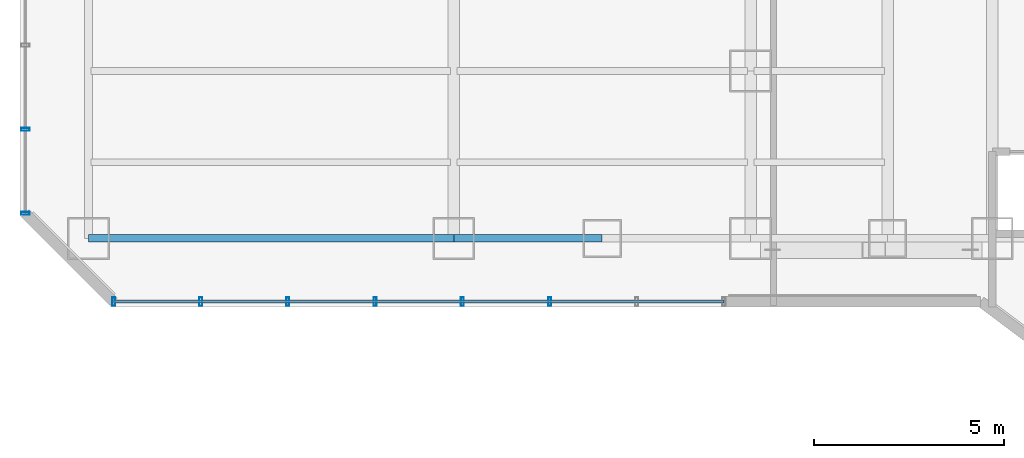
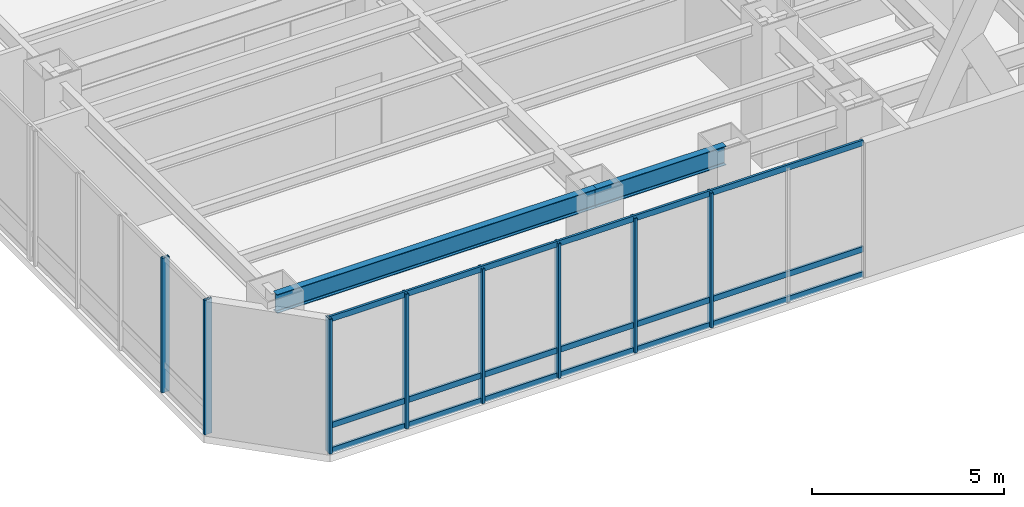
# One storey, part 2 of 29: 11 members, 2 beams, 2 elements without a shape of their own.
"""IFC4 building model written with IfcOpenShell, lengths in metres."""

from ifc_helpers import new_model, si_unit, direction, frame, origin, origin_2d, place, context, subcontext, project, spatial, hollow_rectangle, i_section, extrude, material, layer, layer_set, material_profile, profile_set, type_object, element, aggregate, save


model = new_model("IFC4")

# Units and contexts
model_context = context("Model", 3, precision=1e-05, world=origin(), true_north=direction((0.0, 1.0)))
body_context = subcontext(model_context, "Body", "Model", "MODEL_VIEW")
ifc_project = project(units=[si_unit("LENGTHUNIT", "METRE"), si_unit("AREAUNIT", "SQUARE_METRE"), si_unit("VOLUMEUNIT", "CUBIC_METRE"), si_unit("PLANEANGLEUNIT", "RADIAN"), si_unit("MASSUNIT", "GRAM", prefix="KILO")], contexts=[model_context])

# Site, building, storey
site_placement = place(None, origin())
site = spatial("IfcSite", under=ifc_project, at=site_placement, CompositionType="ELEMENT")
building_placement = place(site_placement, origin())
building = spatial("IfcBuilding", under=site, at=building_placement, Name="Hatsunagi Terrace Concourse", CompositionType="ELEMENT")
storey_placement = place(building_placement, frame((0.0, 0.0, 32.10009765625)))
storey = spatial("IfcBuildingStorey", under=building, at=storey_placement, Name="L07", CompositionType="ELEMENT", Elevation=32.10009765625)

# Curtain wall, members
ifc_material_1 = material(Name="Anodised Aluminium Alloy 6063-T5", Category="aluminium")
ifc_layer = layer(ifc_material_1, 0.199951171875)
ifc_layer_set = layer_set([ifc_layer], Name="SkyLobbyAtrium_CW05")
curtain_wall_type = type_object("IfcCurtainWallType", Name="SkyLobbyAtrium_CW05", PredefinedType="NOTDEFINED", material=ifc_layer_set)
curtain_wall_1_placement = place(storey_placement, origin())
curtain_wall_1 = element("IfcCurtainWall", 1, at=curtain_wall_1_placement, inside=storey, type_object=curtain_wall_type, Name="Unitised Curtain Wall CW-05 CW-L07-07", PredefinedType="NOTDEFINED")
ifc_material_2 = material(Name="Anodised Aluminium Alloy 6063-T5", Category="aluminium")
ifc_material_profile_1 = material_profile(ifc_material_2, hollow_rectangle(XDim=0.080078125, YDim=0.219970703125, WallThickness=0.0048828125, at=origin_2d()), Name="ALU-MUL-220x80x5")
ifc_profile_set_1 = profile_set([ifc_material_profile_1], Name="Anodised Aluminium Alloy 6063-T5")
member_type_1 = type_object("IfcMemberType", Name="CurtainWallMullion_Heavy_220x80", PredefinedType="MULLION", material=ifc_profile_set_1)
member_1_placement = place(storey_placement, frame((13.9169921875, 23.5400390625, 0.0), z_axis=(0.0, 0.0, 1.0), x_axis=(-1.0, 0.0, 0.0)))
member_1 = element("IfcMember", 2, at=member_1_placement, type_object=member_type_1, Name="Curtain Wall Mullion MUL-01", PredefinedType="MULLION", context=body_context, shape_type="SweptSolid", body=[
    extrude(hollow_rectangle(XDim=0.080078125, YDim=0.219970703125, WallThickness=0.0048828125, at=origin_2d()), origin(), (0.0, 0.0, 1.0), 4.27978515625),
])
member_2_placement = place(storey_placement, frame((11.625, 23.5400390625, 0.0), z_axis=(0.0, 0.0, 1.0), x_axis=(-1.0, 0.0, 0.0)))
member_2 = element("IfcMember", 3, at=member_2_placement, type_object=member_type_1, Name="Curtain Wall Mullion MUL-01", PredefinedType="MULLION", context=body_context, shape_type="SweptSolid", body=[
    extrude(hollow_rectangle(XDim=0.080078125, YDim=0.219970703125, WallThickness=0.0048828125, at=origin_2d()), origin(), (0.0, 0.0, 1.0), 4.27978515625),
])
member_3_placement = place(storey_placement, frame((9.3330078125, 23.5400390625, 0.0), z_axis=(0.0, 0.0, 1.0), x_axis=(-1.0, 0.0, 0.0)))
member_3 = element("IfcMember", 4, at=member_3_placement, type_object=member_type_1, Name="Curtain Wall Mullion MUL-01", PredefinedType="MULLION", context=body_context, shape_type="SweptSolid", body=[
    extrude(hollow_rectangle(XDim=0.080078125, YDim=0.219970703125, WallThickness=0.0048828125, at=origin_2d()), origin(), (0.0, 0.0, 1.0), 4.27978515625),
])
member_4_placement = place(storey_placement, frame((7.041015625, 23.5400390625, 0.0), z_axis=(0.0, 0.0, 1.0), x_axis=(-1.0, 0.0, 0.0)))
member_4 = element("IfcMember", 5, at=member_4_placement, type_object=member_type_1, Name="Curtain Wall Mullion MUL-01", PredefinedType="MULLION", context=body_context, shape_type="SweptSolid", body=[
    extrude(hollow_rectangle(XDim=0.080078125, YDim=0.219970703125, WallThickness=0.0048828125, at=origin_2d()), origin(), (0.0, 0.0, 1.0), 4.27978515625),
])
member_5_placement = place(storey_placement, frame((4.75, 23.5400390625, 0.0), z_axis=(0.0, 0.0, 1.0), x_axis=(-1.0, 0.0, 0.0)))
member_5 = element("IfcMember", 6, at=member_5_placement, type_object=member_type_1, Name="Curtain Wall Mullion MUL-01", PredefinedType="MULLION", context=body_context, shape_type="SweptSolid", body=[
    extrude(hollow_rectangle(XDim=0.080078125, YDim=0.219970703125, WallThickness=0.0048828125, at=origin_2d()), origin(), (0.0, 0.0, 1.0), 4.27978515625),
])
member_6_placement = place(storey_placement, frame((2.4580078125, 23.5400390625, 0.0), z_axis=(0.0, 0.0, 1.0), x_axis=(-1.0, 0.0, 0.0)))
member_6 = element("IfcMember", 7, at=member_6_placement, type_object=member_type_1, Name="Curtain Wall Mullion MUL-01", PredefinedType="MULLION", context=body_context, shape_type="SweptSolid", body=[
    extrude(hollow_rectangle(XDim=0.080078125, YDim=0.219970703125, WallThickness=0.0048828125, at=origin_2d()), origin(), (0.0, 0.0, 1.0), 4.27978515625),
])

curtain_wall_2_placement = place(storey_placement, origin())
curtain_wall_2 = element("IfcCurtainWall", 8, at=curtain_wall_2_placement, inside=storey, type_object=curtain_wall_type, Name="Unitised Curtain Wall CW-05 CW-L07-09", PredefinedType="NOTDEFINED")
member_7_placement = place(storey_placement, frame((0.139892578125, 25.85791015625, 0.0), z_axis=(0.0, 0.0, 1.0), x_axis=(0.0, 1.0, 0.0)))
member_7 = element("IfcMember", 9, at=member_7_placement, type_object=member_type_1, Name="Curtain Wall Mullion MUL-01", PredefinedType="MULLION", context=body_context, shape_type="SweptSolid", body=[
    extrude(hollow_rectangle(XDim=0.080078125, YDim=0.219970703125, WallThickness=0.0048828125, at=origin_2d()), origin(), (0.0, 0.0, 1.0), 4.27978515625),
])
member_8_placement = place(storey_placement, frame((0.139892578125, 28.06591796875, 0.0), z_axis=(0.0, 0.0, 1.0), x_axis=(0.0, 1.0, 0.0)))
member_8 = element("IfcMember", 10, at=member_8_placement, type_object=member_type_1, Name="Curtain Wall Mullion MUL-01", PredefinedType="MULLION", context=body_context, shape_type="SweptSolid", body=[
    extrude(hollow_rectangle(XDim=0.080078125, YDim=0.219970703125, WallThickness=0.0048828125, at=origin_2d()), origin(), (0.0, 0.0, 1.0), 4.27978515625),
])
aggregate(curtain_wall_2, [member_7, member_8])

# Member
ifc_material_3 = material(Name="Anodised Aluminium Alloy 6063-T5", Category="aluminium")
ifc_material_profile_2 = material_profile(ifc_material_3, hollow_rectangle(XDim=0.070068359375, YDim=0.179931640625, WallThickness=0.00390625, at=origin_2d()), Name="ALU-TRN-180x70x4")
ifc_profile_set_2 = profile_set([ifc_material_profile_2], Name="Anodised Aluminium Alloy 6063-T5")
member_type_2 = type_object("IfcMemberType", Name="CurtainWallTransom_Heavy_180x70", PredefinedType="USERDEFINED", material=ifc_profile_set_2)
member_9_placement = place(storey_placement, frame((18.5, 23.5400390625, 0.0498046875), z_axis=(-1.0, 0.0, 0.0), x_axis=(0.0, -1.0, 0.0)))
member_9 = element("IfcMember", 11, at=member_9_placement, type_object=member_type_2, Name="Curtain Wall Transom TRN-01", ObjectType="TRANSOM", PredefinedType="USERDEFINED", context=body_context, shape_type="SweptSolid", body=[
    extrude(hollow_rectangle(XDim=0.070068359375, YDim=0.179931640625, WallThickness=0.00390625, at=origin_2d()), origin(), (0.0, 0.0, 1.0), 16.0419921875),
])

member_10_placement = place(storey_placement, frame((18.5, 23.5400390625, 0.849853515625), z_axis=(-1.0, 0.0, 0.0), x_axis=(0.0, -1.0, 0.0)))
member_10 = element("IfcMember", 12, at=member_10_placement, type_object=member_type_2, Name="Curtain Wall Transom TRN-01", ObjectType="TRANSOM", PredefinedType="USERDEFINED", context=body_context, shape_type="SweptSolid", body=[
    extrude(hollow_rectangle(XDim=0.070068359375, YDim=0.179931640625, WallThickness=0.00390625, at=origin_2d()), origin(), (0.0, 0.0, 1.0), 16.0419921875),
])

member_11_placement = place(storey_placement, frame((18.5, 23.5400390625, 4.22998046875), z_axis=(-1.0, 0.0, 0.0), x_axis=(0.0, -1.0, 0.0)))
member_11 = element("IfcMember", 13, at=member_11_placement, type_object=member_type_2, Name="Curtain Wall Transom TRN-01", ObjectType="TRANSOM", PredefinedType="USERDEFINED", context=body_context, shape_type="SweptSolid", body=[
    extrude(hollow_rectangle(XDim=0.070068359375, YDim=0.179931640625, WallThickness=0.00390625, at=origin_2d()), origin(), (0.0, 0.0, 1.0), 16.0419921875),
])

aggregate(curtain_wall_1, [member_1, member_2, member_3, member_4, member_5, member_6, member_9, member_10, member_11])

# Beams
ifc_material_4 = material(Name="Steel SN490B", Category="steel")
ifc_material_profile_3 = material_profile(ifc_material_4, i_section(OverallWidth=0.199951171875, OverallDepth=0.60009765625, WebThickness=0.010986328125, FlangeThickness=0.01708984375, FilletRadius=0.01806640625, at=origin_2d()), Name="H-600x200x11x17")
ifc_profile_set_3 = profile_set([ifc_material_profile_3], Name="Steel SN490B")
beam_type = type_object("IfcBeamType", Name="PerimeterSpandrel_H_600x200", PredefinedType="SPANDREL", material=ifc_profile_set_3)
beam_1_placement = place(storey_placement, frame((1.800048828125, 25.199951171875, 3.97998046875), z_axis=(1.0, 0.0, 0.0), x_axis=(0.0, 1.0, 0.0)))
element("IfcBeam", 14, at=beam_1_placement, inside=storey, type_object=beam_type, Name="Beam SP-01 BM-L07-WS-1", PredefinedType="SPANDREL", context=body_context, shape_type="SweptSolid", body=[
    extrude(i_section(OverallWidth=0.199951171875, OverallDepth=0.60009765625, WebThickness=0.010986328125, FlangeThickness=0.01708984375, FilletRadius=0.01806640625, at=origin_2d()), origin(), (0.0, 0.0, 1.0), 9.599853515625),
])
beam_2_placement = place(storey_placement, frame((11.39990234375, 25.199951171875, 3.97998046875), z_axis=(1.0, 0.0, 0.0), x_axis=(0.0, 1.0, 0.0)))
element("IfcBeam", 15, at=beam_2_placement, inside=storey, type_object=beam_type, Name="Beam SP-01 BM-L07-WS-11", PredefinedType="SPANDREL", context=body_context, shape_type="SweptSolid", body=[
    extrude(i_section(OverallWidth=0.199951171875, OverallDepth=0.60009765625, WebThickness=0.010986328125, FlangeThickness=0.01708984375, FilletRadius=0.01806640625, at=origin_2d()), origin(), (0.0, 0.0, 1.0), 3.900146484375),
])

save(model, "model.ifc")
